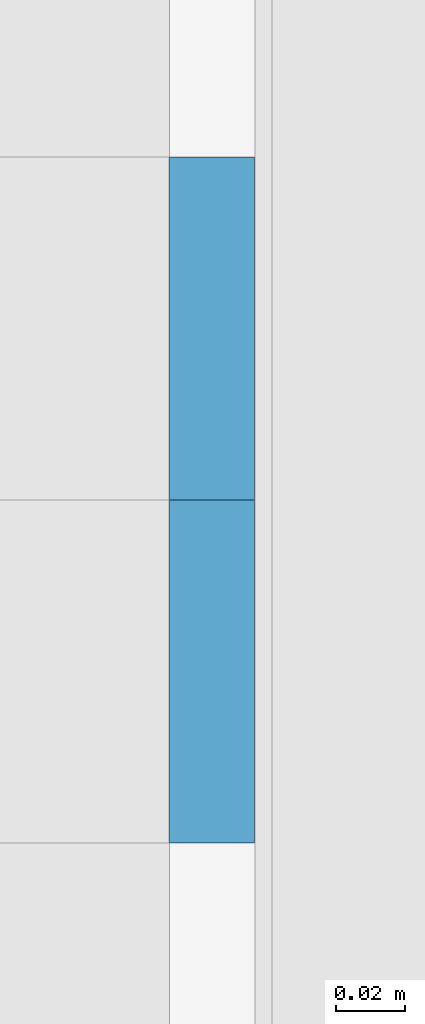
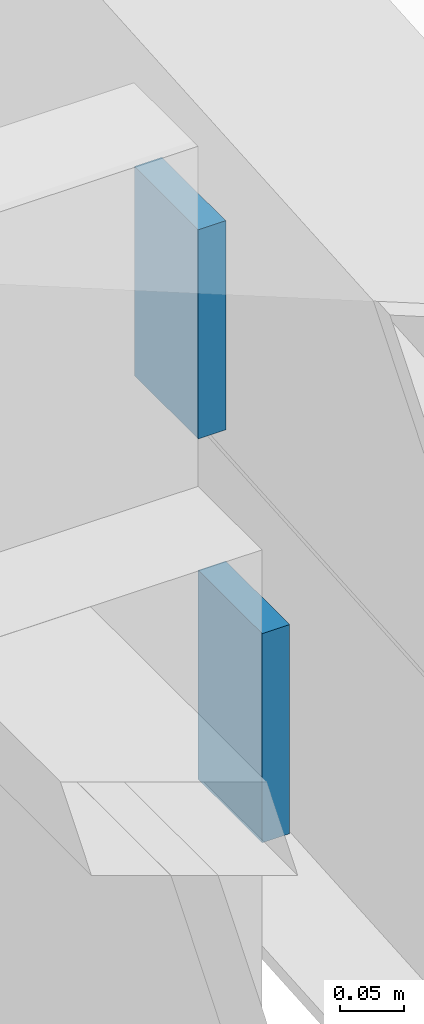
# One storey, part 61 of 84: 2 discrete accessories.
"""IFC4 building model written with IfcOpenShell, lengths in metres."""

from ifc_helpers import new_model, si_unit, direction, frame, origin, origin_2d, place, context, subcontext, project, spatial, rectangle, extrude, material, type_object, element, save


model = new_model("IFC4")

# Units and contexts
model_context = context("Model", 3, precision=1e-05, world=origin(), true_north=direction((0.0, 1.0)))
body_context = subcontext(model_context, "Body", "Model", "MODEL_VIEW")
ifc_project = project(units=[si_unit("LENGTHUNIT", "METRE"), si_unit("AREAUNIT", "SQUARE_METRE"), si_unit("VOLUMEUNIT", "CUBIC_METRE"), si_unit("PLANEANGLEUNIT", "RADIAN"), si_unit("MASSUNIT", "GRAM", prefix="KILO")], contexts=[model_context])

# Site, building, storey
site_placement = place(None, origin())
site = spatial("IfcSite", under=ifc_project, at=site_placement, CompositionType="ELEMENT")
building_placement = place(site_placement, origin())
building = spatial("IfcBuilding", under=site, at=building_placement, Name="Silverbay Arena", CompositionType="ELEMENT")
storey_placement = place(building_placement, frame((0.0, 0.0, 47.10009765625)))
storey = spatial("IfcBuildingStorey", under=building, at=storey_placement, Name="ROOF", CompositionType="ELEMENT", Elevation=47.10009765625)

# Discrete accessories
ifc_material = material(Name="Steel S355", Category="steel")
discrete_accessory_type = type_object("IfcDiscreteAccessoryType", Name="Steel bracket plate", PredefinedType="BRACKET", material=ifc_material)
for number, where, z_axis, x_axis, name in (
    (1, (80.887451171875, 49.449951171875, 9.919921875), (0.0, 0.0, 1.0), (1.0, 0.0, 0.0), "Curtain wall packing plate"),
    (2, (80.887451171875, 49.550048828125, 10.2451171875), (0.0, 0.0, 1.0), (1.0, 0.0, 0.0), "Curtain wall packing plate"),
):
    element("IfcDiscreteAccessory", number, at=place(storey_placement, frame(where, z_axis=z_axis, x_axis=x_axis)), inside=storey, type_object=discrete_accessory_type, Name=name, PredefinedType="BRACKET", context=body_context, shape_type="SweptSolid", body=[
        extrude(rectangle(XDim=0.02490234375, YDim=0.10009765625, at=origin_2d()), origin(), (0.0, 0.0, 1.0), 0.199951171875),
    ])

save(model, "model.ifc")
